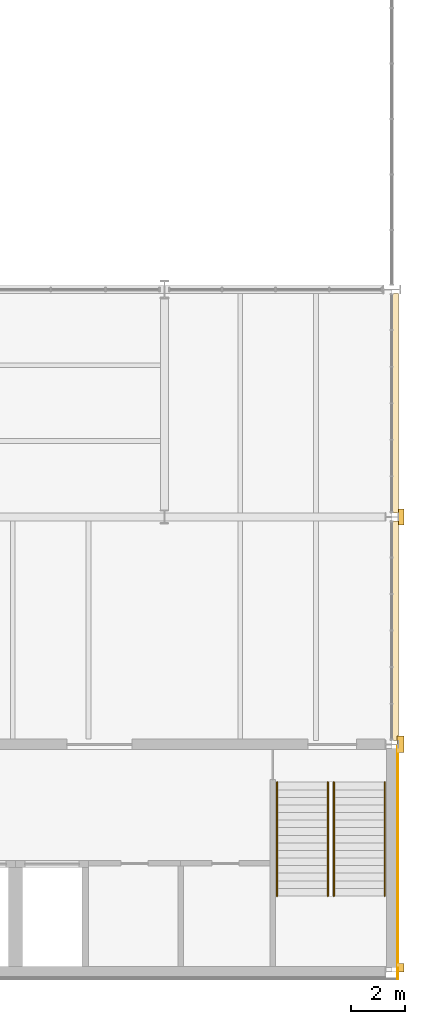
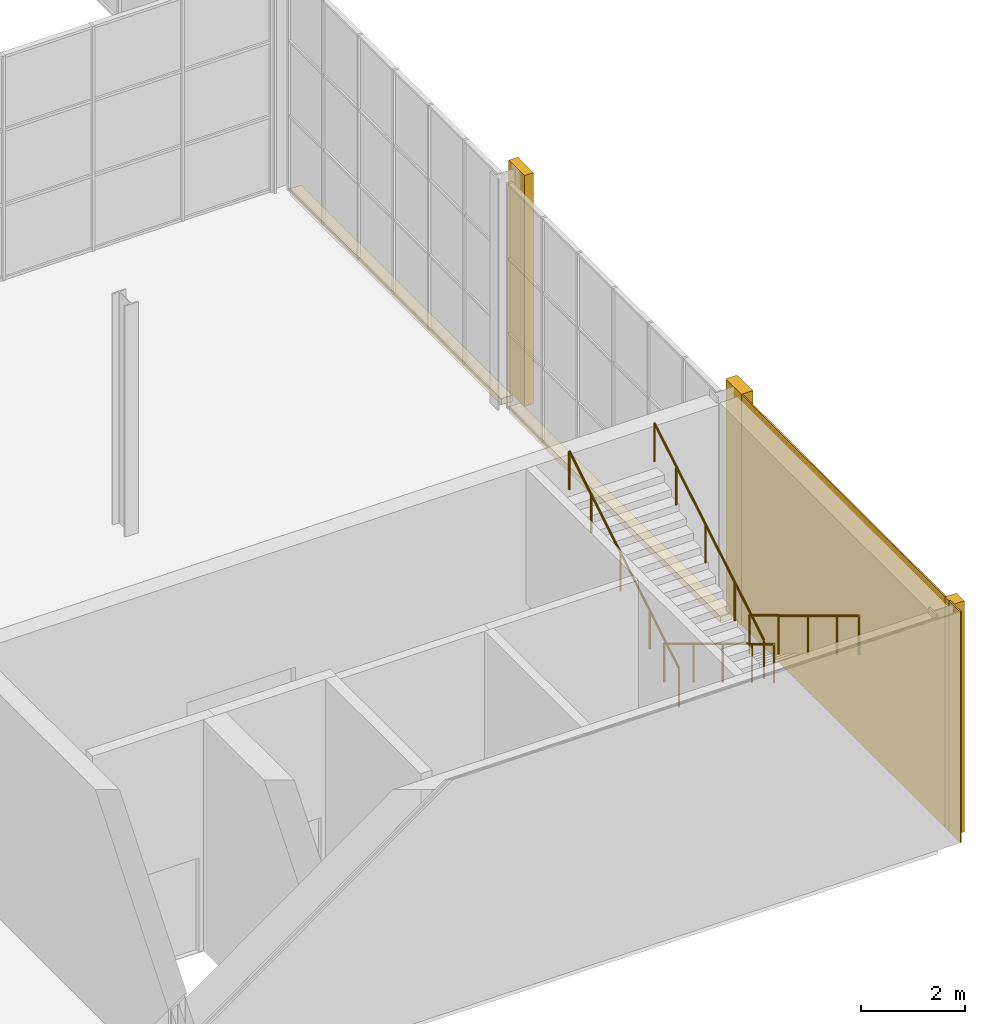
# One storey, part 60 of 64: 7 coverings, 4 railings.
"""IFC4 building model written with IfcOpenShell, lengths in metres."""

from ifc_helpers import new_model, si_unit, direction, frame, origin, origin_2d, place, context, subcontext, project, spatial, rectangle, circle, extrude, material, layer, layer_set, type_object, element, save


model = new_model("IFC4")

# Units and contexts
model_context = context("Model", 3, precision=1e-05, world=origin(), true_north=direction((0.0, 1.0)))
body_context = subcontext(model_context, "Body", "Model", "MODEL_VIEW")
ifc_project = project(units=[si_unit("LENGTHUNIT", "METRE"), si_unit("AREAUNIT", "SQUARE_METRE"), si_unit("VOLUMEUNIT", "CUBIC_METRE"), si_unit("PLANEANGLEUNIT", "RADIAN"), si_unit("MASSUNIT", "GRAM", prefix="KILO")], contexts=[model_context])

# Site, building, storey
site_placement = place(None, origin())
site = spatial("IfcSite", under=ifc_project, at=site_placement, CompositionType="ELEMENT")
building_placement = place(site_placement, origin())
building = spatial("IfcBuilding", under=site, at=building_placement, Name="Galleria Vessillo Department Store", CompositionType="ELEMENT")
storey_placement = place(building_placement, frame((0.0, 0.0, 6.0)))
storey = spatial("IfcBuildingStorey", under=building, at=storey_placement, Name="L01", CompositionType="ELEMENT", Elevation=6.0)

# Coverings
ifc_material_1 = material(Name="Lime plaster (intonaco) ochre")
ifc_layer_1 = layer(ifc_material_1, 0.030029296875)
ifc_layer_set_1 = layer_set([ifc_layer_1], Name="Lime plaster (intonaco) ochre")
covering_type_1 = type_object("IfcCoveringType", Name="Lime plaster render 30 mm", PredefinedType="CLADDING", material=ifc_layer_set_1)
covering_1_placement = place(storey_placement, frame((117.81494140625, -0.06494140625, 0.0), z_axis=(0.0, 0.0, 1.0), x_axis=(1.0, 0.0, 0.0)))
element("IfcCovering", 1, at=covering_1_placement, inside=storey, type_object=covering_type_1, Name="Corner cladding L01 y=0 east face", PredefinedType="CLADDING", context=body_context, shape_type="SweptSolid", body=[
    extrude(rectangle(XDim=0.030029296875, YDim=0.429931640625, at=origin_2d()), origin(), (0.0, 0.0, 1.0), 5.39990234375),
])
ifc_material_2 = material(Name="Botticino limestone ashlar", Category="masonry")
ifc_layer_2 = layer(ifc_material_2, 0.199951171875)
ifc_layer_set_2 = layer_set([ifc_layer_2], Name="Botticino limestone ashlar")
covering_type_2 = type_object("IfcCoveringType", Name="Limestone giant pilaster 600 x 200", PredefinedType="CLADDING", material=ifc_layer_set_2)
covering_2_placement = place(storey_placement, frame((117.925048828125, 0.14990234375, 0.0), z_axis=(0.0, 0.0, 1.0), x_axis=(1.0, 0.0, 0.0)))
element("IfcCovering", 2, at=covering_2_placement, inside=storey, type_object=covering_type_2, Name="Giant pilaster E L01 y=0.0", PredefinedType="CLADDING", context=body_context, shape_type="SweptSolid", body=[
    extrude(rectangle(XDim=0.25, YDim=0.300048828125, at=origin_2d()), origin(), (0.0, 0.0, 1.0), 5.39990234375),
])
covering_3_placement = place(storey_placement, frame((117.925048828125, 8.39990234375, 0.0), z_axis=(0.0, 0.0, 1.0), x_axis=(1.0, 0.0, 0.0)))
element("IfcCovering", 3, at=covering_3_placement, inside=storey, type_object=covering_type_2, Name="Giant pilaster E L01 y=8.4", PredefinedType="CLADDING", context=body_context, shape_type="SweptSolid", body=[
    extrude(rectangle(XDim=0.25, YDim=0.60009765625, at=origin_2d()), origin(), (0.0, 0.0, 1.0), 5.39990234375),
])
covering_4_placement = place(storey_placement, frame((117.9501953125, 16.800048828125, 0.0), z_axis=(0.0, 0.0, 1.0), x_axis=(1.0, 0.0, 0.0)))
element("IfcCovering", 4, at=covering_4_placement, inside=storey, type_object=covering_type_2, Name="Giant pilaster E L01 y=16.8", PredefinedType="CLADDING", context=body_context, shape_type="SweptSolid", body=[
    extrude(rectangle(XDim=0.199951171875, YDim=0.60009765625, at=origin_2d()), origin(), (0.0, 0.0, 1.0), 5.39990234375),
])
ifc_material_3 = material(Name="Botticino limestone ashlar", Category="masonry")
ifc_layer_3 = layer(ifc_material_3, 0.14990234375)
ifc_layer_set_3 = layer_set([ifc_layer_3], Name="Botticino limestone ashlar")
covering_type_3 = type_object("IfcCoveringType", Name="Limestone slab-edge fascia 150 mm", PredefinedType="CLADDING", material=ifc_layer_set_3)
covering_5_placement = place(storey_placement, frame((117.72509765625, 12.60009765625, -0.14990234375), z_axis=(0.0, 0.0, 1.0), x_axis=(1.0, 0.0, 0.0)))
element("IfcCovering", 5, at=covering_5_placement, inside=storey, type_object=covering_type_3, Name="Slab-edge fascia SE-S-L00-01", PredefinedType="CLADDING", context=body_context, shape_type="SweptSolid", body=[
    extrude(rectangle(XDim=0.25, YDim=8.10009765625, at=origin_2d()), origin(), (0.0, 0.0, 1.0), 0.14990234375),
])
covering_6_placement = place(storey_placement, frame((117.72509765625, 20.998779296875, -0.14990234375), z_axis=(0.0, 0.0, 1.0), x_axis=(1.0, 0.0, 0.0)))
element("IfcCovering", 6, at=covering_6_placement, inside=storey, type_object=covering_type_3, Name="Slab-edge fascia SE-S-L00-02", PredefinedType="CLADDING", context=body_context, shape_type="SweptSolid", body=[
    extrude(rectangle(XDim=0.25, YDim=8.097412109375, at=origin_2d()), origin(), (0.0, 0.0, 1.0), 0.14990234375),
])
ifc_material_4 = material(Name="Botticino limestone ashlar", Category="masonry")
ifc_layer_4 = layer(ifc_material_4, 0.030029296875)
ifc_layer_set_4 = layer_set([ifc_layer_4], Name="Botticino limestone ashlar")
covering_type_4 = type_object("IfcCoveringType", Name="Limestone wall cladding 30 mm", PredefinedType="CLADDING", material=ifc_layer_set_4)
covering_7_placement = place(storey_placement, frame((117.815185546875, 4.260009765625, 0.0), z_axis=(0.0, 0.0, 1.0), x_axis=(1.0, 0.0, 0.0)))
element("IfcCovering", 7, at=covering_7_placement, inside=storey, type_object=covering_type_4, Name="Wall cladding S-CW-GC-EAST-L01", PredefinedType="CLADDING", context=body_context, shape_type="SweptSolid", body=[
    extrude(rectangle(XDim=0.030029296875, YDim=8.219970703125, at=origin_2d()), origin(), (0.0, 0.0, 1.0), 5.39990234375),
])

# Railings
ifc_material_5 = material(Name="Stainless steel tube", Category="steel")
railing_type = type_object("IfcRailingType", Name="Stair handrail steel tube 48 mm", PredefinedType="HANDRAIL", material=ifc_material_5)
for number, where, name in (
    (8, (117.33984375, 7.0, 0.168701171875), "Handrail ST7 L01 flight 1A"),
    (9, (115.4599609375, 7.0, 0.168701171875), "Handrail ST7 L01 flight 1B"),
):
    element("IfcRailing", number, at=place(storey_placement, frame(where)), inside=storey, type_object=railing_type, Name=name, PredefinedType="HANDRAIL", context=body_context, shape_type="SweptSolid", body=[
        extrude(circle(Radius=0.02392578125, at=origin_2d()), frame((0.0, 0.0, 0.89599609375), z_axis=(0.0, -0.856486514401, 0.516169401116), x_axis=(1.0, 0.0, 0.0)), (0.0, 0.0, 1.0), 1.307861328125),
        extrude(circle(Radius=0.02392578125, at=origin_2d()), frame((0.0, -1.1201171875, 1.57080078125), z_axis=(0.0, -0.856436765236, 0.516251941548), x_axis=(1.0, 0.0, 0.0)), (0.0, 0.0, 1.0), 1.3076171875),
        extrude(circle(Radius=0.02392578125, at=origin_2d()), frame((0.0, -2.239990234375, 2.24609375), z_axis=(0.0, -0.856486514401, 0.516169401116), x_axis=(1.0, 0.0, 0.0)), (0.0, 0.0, 1.0), 1.307861328125),
        extrude(circle(Radius=0.02392578125, at=origin_2d()), frame((0.0, -3.360107421875, 2.9208984375), z_axis=(0.0, -0.856502732318, 0.516142489563), x_axis=(1.0, 0.0, 0.0)), (0.0, 0.0, 1.0), 0.98046875),
        extrude(circle(Radius=0.02099609375, at=origin_2d()), origin(), (0.0, 0.0, 1.0), 0.871826171875),
        extrude(circle(Radius=0.02099609375, at=origin_2d()), frame((0.0, -1.1201171875, 0.675048828125)), (0.0, 0.0, 1.0), 0.871826171875),
        extrude(circle(Radius=0.02099609375, at=origin_2d()), frame((0.0, -2.239990234375, 1.35009765625)), (0.0, 0.0, 1.0), 0.871826171875),
        extrude(circle(Radius=0.02099609375, at=origin_2d()), frame((0.0, -3.360107421875, 2.025146484375)), (0.0, 0.0, 1.0), 0.871826171875),
        extrude(circle(Radius=0.02099609375, at=origin_2d()), frame((0.0, -4.199951171875, 2.53125)), (0.0, 0.0, 1.0), 0.871826171875),
    ])
for number, where, name in (
    (10, (113.360107421875, 2.800048828125, 2.86865234375), "Handrail ST7 L01 flight 2A"),
    (11, (115.239990234375, 2.800048828125, 2.86865234375), "Handrail ST7 L01 flight 2B"),
):
    element("IfcRailing", number, at=place(storey_placement, frame(where)), inside=storey, type_object=railing_type, Name=name, PredefinedType="HANDRAIL", context=body_context, shape_type="SweptSolid", body=[
        extrude(circle(Radius=0.02392578125, at=origin_2d()), frame((0.0, 0.0, 0.89599609375), z_axis=(0.0, 0.856486514401, 0.516169401116), x_axis=(-1.0, 0.0, 0.0)), (0.0, 0.0, 1.0), 1.307861328125),
        extrude(circle(Radius=0.02392578125, at=origin_2d()), frame((0.0, 1.1201171875, 1.57080078125), z_axis=(0.0, 0.856436765236, 0.516251941548), x_axis=(-1.0, 0.0, 0.0)), (0.0, 0.0, 1.0), 1.3076171875),
        extrude(circle(Radius=0.02392578125, at=origin_2d()), frame((0.0, 2.239990234375, 2.24609375), z_axis=(0.0, 0.856486514401, 0.516169401116), x_axis=(-1.0, 0.0, 0.0)), (0.0, 0.0, 1.0), 1.307861328125),
        extrude(circle(Radius=0.02392578125, at=origin_2d()), frame((0.0, 3.360107421875, 2.9208984375), z_axis=(0.0, 0.856502732318, 0.516142489563), x_axis=(-1.0, 0.0, 0.0)), (0.0, 0.0, 1.0), 0.98046875),
        extrude(circle(Radius=0.02099609375, at=origin_2d()), origin(), (0.0, 0.0, 1.0), 0.871826171875),
        extrude(circle(Radius=0.02099609375, at=origin_2d()), frame((0.0, 1.1201171875, 0.675048828125)), (0.0, 0.0, 1.0), 0.871826171875),
        extrude(circle(Radius=0.02099609375, at=origin_2d()), frame((0.0, 2.239990234375, 1.35009765625)), (0.0, 0.0, 1.0), 0.871826171875),
        extrude(circle(Radius=0.02099609375, at=origin_2d()), frame((0.0, 3.360107421875, 2.025146484375)), (0.0, 0.0, 1.0), 0.871826171875),
        extrude(circle(Radius=0.02099609375, at=origin_2d()), frame((0.0, 4.199951171875, 2.53125)), (0.0, 0.0, 1.0), 0.871826171875),
    ])

save(model, "model.ifc")
